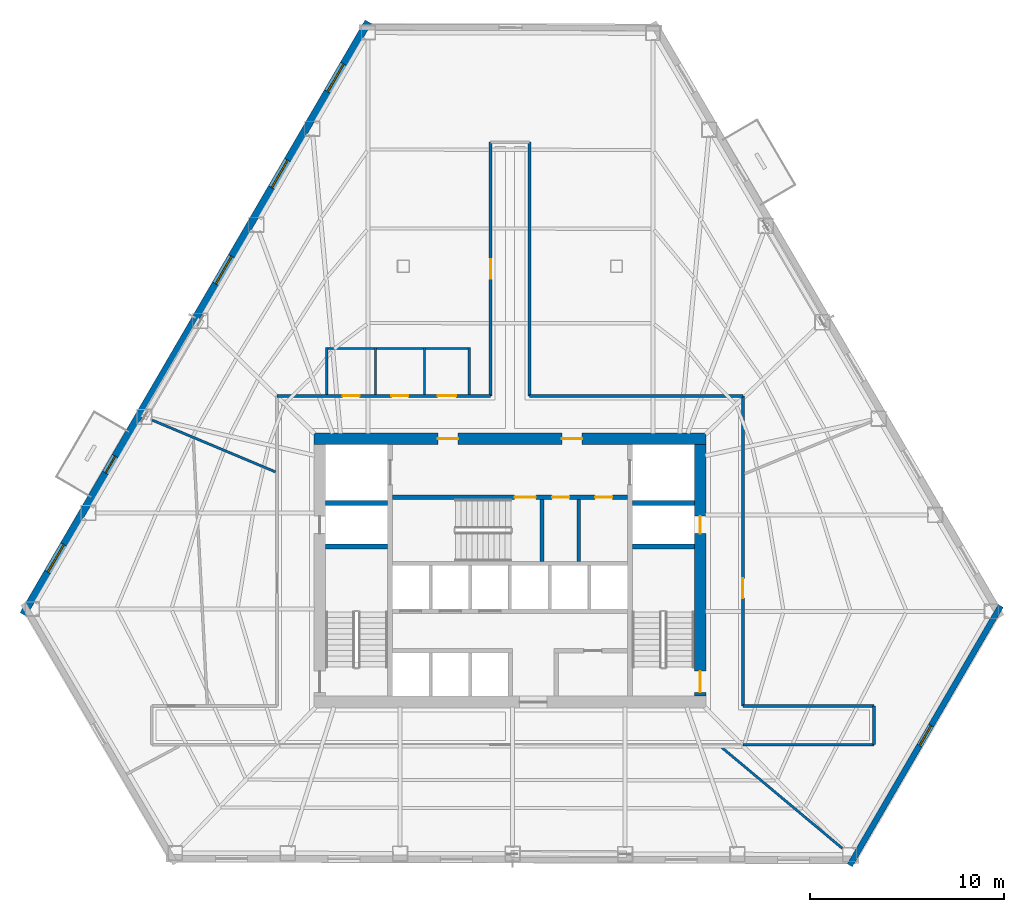
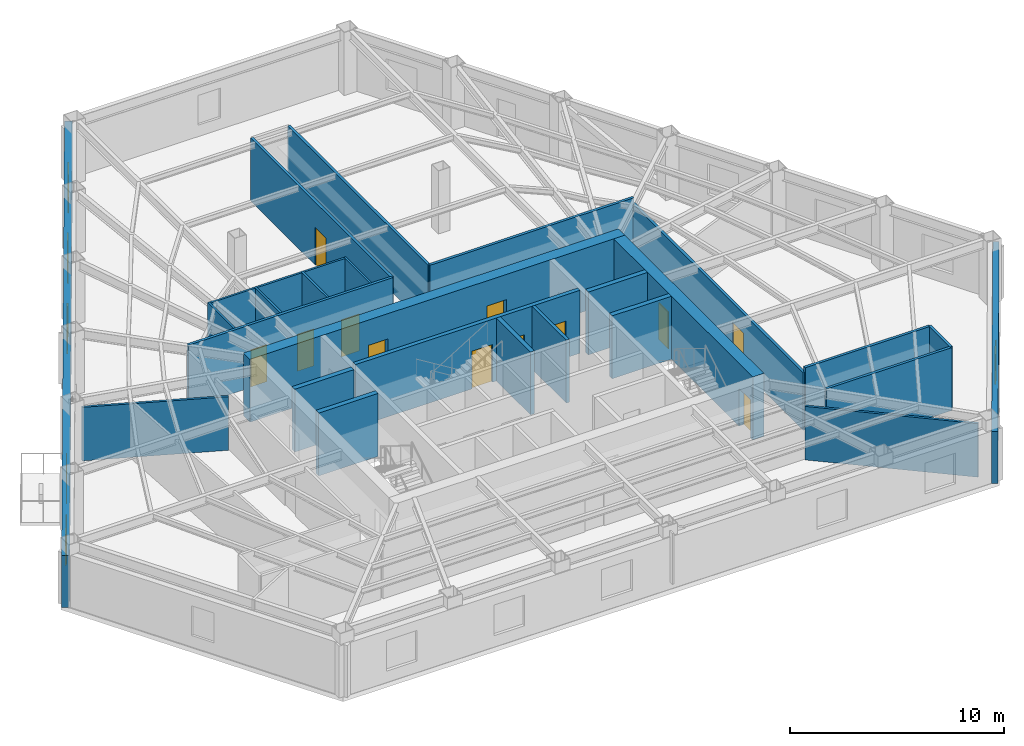
# One storey, part 7 of 11: 26 walls, 13 doors, 5 windows, 18 openings.
"""IFC4 building model written with IfcOpenShell, lengths in metres."""

from ifc_helpers import new_model, si_unit, direction, frame, frame_2d, origin, place, context, subcontext, project, spatial, rectangle, extrude, material, layer, layer_set, type_object, element, fill, save


model = new_model("IFC4")

# Units and contexts
model_context = context("Model", 3, precision=1e-05, world=origin(), true_north=direction((0.0, 1.0)))
body_context = subcontext(model_context, "Body", "Model", "MODEL_VIEW")
ifc_project = project(units=[si_unit("LENGTHUNIT", "METRE"), si_unit("AREAUNIT", "SQUARE_METRE"), si_unit("VOLUMEUNIT", "CUBIC_METRE"), si_unit("PLANEANGLEUNIT", "RADIAN"), si_unit("MASSUNIT", "GRAM", prefix="KILO")], contexts=[model_context])

# Site, building, storey
site_placement = place(None, origin())
site = spatial("IfcSite", under=ifc_project, at=site_placement, CompositionType="ELEMENT")
building_placement = place(site_placement, origin())
building = spatial("IfcBuilding", under=site, at=building_placement, Name="Kavelnor Concourse Tower", CompositionType="ELEMENT")
storey_placement = place(building_placement, frame((0.0, 0.0, 56.050048828125)))
storey = spatial("IfcBuildingStorey", under=building, at=storey_placement, Name="L14", CompositionType="ELEMENT", Elevation=56.050048828125)

# Wall, openings, doors
ifc_material_1 = material(Name="Concrete C60/75", Category="concrete")
ifc_layer_1 = layer(ifc_material_1, 0.60009765625, Name="Concrete C60/75")
ifc_layer_set_1 = layer_set([ifc_layer_1], Name="Concrete C60/75")
wall_type_1 = type_object("IfcWallType", Name="WL-CORE-Z1-600", PredefinedType="SOLIDWALL", material=ifc_layer_set_1)
wall_1_placement = place(storey_placement, frame((27.8798828125, 22.89990234375, 0.0), z_axis=(0.0, 0.0, 1.0), x_axis=(1.0, 0.0, 0.0)))
wall_1 = element("IfcWall", 1, at=wall_1_placement, inside=storey, type_object=wall_type_1, Name="L14 Central Core North Shear Wall", PredefinedType="SOLIDWALL", context=body_context, shape_type="SweptSolid", body=[
    extrude(rectangle(XDim=20.240234375, YDim=0.60009765625, at=frame_2d((10.1201171875, 0.0))), origin(), (0.0, 0.0, 1.0), 3.58984375),
])
opening_1_placement = place(wall_1_placement, frame((6.39501953125, 0.0, 0.0)))
opening_1 = element("IfcOpeningElement", 2, at=opening_1_placement, cuts=wall_1, Name="Opening FD-105", PredefinedType="OPENING", context=body_context, shape_type="SweptSolid", body=[
    extrude(rectangle(XDim=1.050048828125, YDim=2.14990234375, at=frame_2d((0.52490234375, 1.074951171875))), frame((0.0, 0.31005859375, 0.0), z_axis=(0.0, -1.0, 0.0), x_axis=(1.0, 0.0, 0.0)), (0.0, 0.0, 1.0), 0.6201171875),
])
opening_2_placement = place(wall_1_placement, frame((12.794921875, 0.0, 0.0)))
opening_2 = element("IfcOpeningElement", 3, at=opening_2_placement, cuts=wall_1, Name="Opening FD-105", PredefinedType="OPENING", context=body_context, shape_type="SweptSolid", body=[
    extrude(rectangle(XDim=1.050048828125, YDim=2.14990234375, at=frame_2d((0.52490234375, 1.074951171875))), frame((0.0, 0.31005859375, 0.0), z_axis=(0.0, -1.0, 0.0), x_axis=(1.0, 0.0, 0.0)), (0.0, 0.0, 1.0), 0.6201171875),
])
ifc_material_2 = material(Name="Steel Grade 350", Category="steel")
door_type_1 = type_object("IfcDoorType", Name="DR-LOBBY-FIRE-1050", OperationType="NOTDEFINED", PredefinedType="DOOR", material=ifc_material_2)
door_1_placement = place(opening_1_placement, origin())
door_1 = element("IfcDoor", 4, at=door_1_placement, inside=storey, type_object=door_type_1, Name="L14 Emergency Lift Lobby West Door", OperationType="SINGLE_SWING_LEFT", OverallHeight=2.14990234375, OverallWidth=1.050048828125, PredefinedType="DOOR", context=body_context, shape_type="SweptSolid", body=[
    extrude(rectangle(XDim=1.050048828125, YDim=2.14990234375, at=frame_2d((0.52490234375, 1.074951171875))), frame((0.0, 0.02490234375, 0.0), z_axis=(0.0, -1.0, 0.0), x_axis=(1.0, 0.0, 0.0)), (0.0, 0.0, 1.0), 0.050048828125),
])
fill(opening_1, door_1)
door_2_placement = place(opening_2_placement, origin())
door_2 = element("IfcDoor", 5, at=door_2_placement, inside=storey, type_object=door_type_1, Name="L14 Emergency Lift Lobby East Door", OperationType="SINGLE_SWING_RIGHT", OverallHeight=2.14990234375, OverallWidth=1.050048828125, PredefinedType="DOOR", context=body_context, shape_type="SweptSolid", body=[
    extrude(rectangle(XDim=1.050048828125, YDim=2.14990234375, at=frame_2d((0.52490234375, 1.074951171875))), frame((0.0, 0.02490234375, 0.0), z_axis=(0.0, -1.0, 0.0), x_axis=(1.0, 0.0, 0.0)), (0.0, 0.0, 1.0), 0.050048828125),
])
fill(opening_2, door_2)

wall_2_placement = place(storey_placement, frame((47.820068359375, 9.60009765625, 0.0), z_axis=(0.0, 0.0, 1.0), x_axis=(0.0, 1.0, 0.0)))
wall_2 = element("IfcWall", 6, at=wall_2_placement, inside=storey, type_object=wall_type_1, Name="L14 Central Core East Shear Wall", PredefinedType="SOLIDWALL", context=body_context, shape_type="SweptSolid", body=[
    extrude(rectangle(XDim=13.0, YDim=0.60009765625, at=frame_2d((6.5, 0.0))), origin(), (0.0, 0.0, 1.0), 3.58984375),
])
opening_3_placement = place(wall_2_placement, frame((0.199951171875, 0.0, 0.0)))
opening_3 = element("IfcOpeningElement", 7, at=opening_3_placement, cuts=wall_2, Name="Opening FD-110", PredefinedType="OPENING", context=body_context, shape_type="SweptSolid", body=[
    extrude(rectangle(XDim=1.10009765625, YDim=2.14990234375, at=frame_2d((0.550048828125, 1.074951171875))), frame((0.0, 0.31005859375, 0.0), z_axis=(0.0, -1.0, 0.0), x_axis=(1.0, 0.0, 0.0)), (0.0, 0.0, 1.0), 0.6201171875),
])
opening_4_placement = place(wall_2_placement, frame((8.39990234375, 0.0, 0.0)))
opening_4 = element("IfcOpeningElement", 8, at=opening_4_placement, cuts=wall_2, Name="Opening FD-090", PredefinedType="OPENING", context=body_context, shape_type="SweptSolid", body=[
    extrude(rectangle(XDim=0.89990234375, YDim=2.10009765625, at=frame_2d((0.449951171875, 1.050048828125))), frame((0.0, 0.31005859375, 0.0), z_axis=(0.0, -1.0, 0.0), x_axis=(1.0, 0.0, 0.0)), (0.0, 0.0, 1.0), 0.6201171875),
])
door_type_2 = type_object("IfcDoorType", Name="DR-RISER-FIRE-900", OperationType="NOTDEFINED", PredefinedType="DOOR", material=ifc_material_2)
door_3_placement = place(opening_4_placement, origin())
door_3 = element("IfcDoor", 9, at=door_3_placement, inside=storey, type_object=door_type_2, Name="L14 East Riser Access Door", OperationType="SINGLE_SWING_LEFT", OverallHeight=2.10009765625, OverallWidth=0.89990234375, PredefinedType="DOOR", context=body_context, shape_type="SweptSolid", body=[
    extrude(rectangle(XDim=0.89990234375, YDim=2.10009765625, at=frame_2d((0.449951171875, 1.050048828125))), frame((0.0, 0.02490234375, 0.0), z_axis=(0.0, -1.0, 0.0), x_axis=(1.0, 0.0, 0.0)), (0.0, 0.0, 1.0), 0.050048828125),
])
fill(opening_4, door_3)
door_type_3 = type_object("IfcDoorType", Name="DR-STAIR-FIRE-1100", OperationType="NOTDEFINED", PredefinedType="DOOR", material=ifc_material_2)
door_4_placement = place(opening_3_placement, origin())
door_4 = element("IfcDoor", 10, at=door_4_placement, inside=storey, type_object=door_type_3, Name="L14 Stair ST2 Fire Door", OperationType="SINGLE_SWING_RIGHT", OverallHeight=2.14990234375, OverallWidth=1.10009765625, PredefinedType="DOOR", context=body_context, shape_type="SweptSolid", body=[
    extrude(rectangle(XDim=1.10009765625, YDim=2.14990234375, at=frame_2d((0.550048828125, 1.074951171875))), frame((0.0, 0.02490234375, 0.0), z_axis=(0.0, -1.0, 0.0), x_axis=(1.0, 0.0, 0.0)), (0.0, 0.0, 1.0), 0.050048828125),
])
fill(opening_3, door_4)

# Wall, opening, window
ifc_material_3 = material(Name="Buff ironspot clay face brick masonry", Category="masonry")
ifc_layer_2 = layer(ifc_material_3, 0.300048828125, Name="Buff ironspot clay face brick masonry")
ifc_layer_set_2 = layer_set([ifc_layer_2], Name="Buff ironspot clay face brick masonry")
wall_type_2 = type_object("IfcWallType", Name="WL-EXT-BUFF-BRICK-FOLD-300", PredefinedType="STANDARD", material=ifc_layer_set_2)
wall_3_placement = place(storey_placement, frame((63.336181640625, 14.260986328125, 0.0), z_axis=(0.0, 0.0, 1.0), x_axis=(-0.503273250813, -0.864127325697, 0.0)))
wall_3 = element("IfcWall", 11, at=wall_3_placement, inside=storey, type_object=wall_type_2, Name="L14 Exterior Brick Facade Wall E4", PredefinedType="STANDARD", context=body_context, shape_type="SweptSolid", body=[
    extrude(rectangle(XDim=15.493408203125, YDim=0.300048828125, at=frame_2d((7.74658203125, 0.0))), origin(), (0.0, 0.0, 1.0), 2.969970703125),
])
opening_5_placement = place(wall_3_placement, frame((7.146728515625, 0.0, 0.64990234375)))
opening_5 = element("IfcOpeningElement", 12, at=opening_5_placement, cuts=wall_3, Name="Opening W-05", PredefinedType="OPENING", context=body_context, shape_type="SweptSolid", body=[
    extrude(rectangle(XDim=1.199951171875, YDim=1.699951171875, at=frame_2d((0.60009765625, 0.85009765625))), frame((0.0, 0.16015625, 0.0), z_axis=(0.0, -1.0, 0.0), x_axis=(1.0, 0.0, 0.0)), (0.0, 0.0, 1.0), 0.320068359375),
])
ifc_material_4 = material(Name="Double low-E argon insulated glazing", Category="glass")
window_type_1 = type_object("IfcWindowType", Name="WIN-FOLD-1200", PartitioningType="SINGLE_PANEL", PredefinedType="WINDOW", material=ifc_material_4)
window_1_placement = place(opening_5_placement, origin())
window_1 = element("IfcWindow", 13, at=window_1_placement, inside=storey, type_object=window_type_1, Name="L14 Chamfer-Fold Facet Window C2", OverallHeight=1.699951171875, OverallWidth=1.199951171875, PartitioningType="SINGLE_PANEL", PredefinedType="WINDOW", context=body_context, shape_type="SweptSolid", body=[
    extrude(rectangle(XDim=1.199951171875, YDim=1.699951171875, at=frame_2d((0.60009765625, 0.85009765625))), frame((0.0, 0.030029296875, 0.0), z_axis=(0.0, -1.0, 0.0), x_axis=(1.0, 0.0, 0.0)), (0.0, 0.0, 1.0), 0.06005859375),
])
fill(opening_5, window_1)

# Wall, openings, door, windows
ifc_material_5 = material(Name="Red-ochre clay face brick masonry", Category="masonry")
ifc_layer_3 = layer(ifc_material_5, 0.3798828125, Name="Red-ochre clay face brick masonry")
ifc_layer_set_3 = layer_set([ifc_layer_3], Name="Red-ochre clay face brick masonry")
wall_type_3 = type_object("IfcWallType", Name="WL-EXT-RED-BRICK-PIER-380", PredefinedType="STANDARD", material=ifc_layer_set_3)
wall_4_placement = place(storey_placement, frame((12.870361328125, 13.8232421875, 0.0), z_axis=(0.0, 0.0, 1.0), x_axis=(0.503276134116, 0.864125646437, 0.0)))
wall_4 = element("IfcWall", 14, at=wall_4_placement, inside=storey, type_object=wall_type_3, Name="L14 Exterior Brick Facade Wall E1", PredefinedType="STANDARD", context=body_context, shape_type="SweptSolid", body=[
    extrude(rectangle(XDim=35.39892578125, YDim=0.3798828125, at=frame_2d((17.699462890625, 0.0))), origin(), (0.0, 0.0, 1.0), 2.969970703125),
])
opening_6_placement = place(wall_4_placement, frame((8.44970703125, 0.0, 0.0)))
opening_6 = element("IfcOpeningElement", 15, at=opening_6_placement, cuts=wall_4, Name="Opening BD-100", PredefinedType="OPENING", context=body_context, shape_type="SweptSolid", body=[
    extrude(rectangle(XDim=1.0, YDim=2.199951171875, at=frame_2d((0.5, 1.10009765625))), frame((0.0, 0.199951171875, 0.0), z_axis=(0.0, -1.0, 0.0), x_axis=(1.0, 0.0, 0.0)), (0.0, 0.0, 1.0), 0.39990234375),
])
opening_7_placement = place(wall_4_placement, frame((31.22705078125, 0.0, 0.64990234375)))
opening_7 = element("IfcOpeningElement", 16, at=opening_7_placement, cuts=wall_4, Name="Opening W-01", PredefinedType="OPENING", context=body_context, shape_type="SweptSolid", body=[
    extrude(rectangle(XDim=1.64990234375, YDim=1.75, at=frame_2d((0.824951171875, 0.875))), frame((0.0, 0.199951171875, 0.0), z_axis=(0.0, -1.0, 0.0), x_axis=(1.0, 0.0, 0.0)), (0.0, 0.0, 1.0), 0.39990234375),
])
opening_8_placement = place(wall_4_placement, frame((25.48681640625, 0.0, 0.64990234375)))
opening_8 = element("IfcOpeningElement", 17, at=opening_8_placement, cuts=wall_4, Name="Opening W-01", PredefinedType="OPENING", context=body_context, shape_type="SweptSolid", body=[
    extrude(rectangle(XDim=1.64990234375, YDim=1.75, at=frame_2d((0.824951171875, 0.875))), frame((0.0, 0.199951171875, 0.0), z_axis=(0.0, -1.0, 0.0), x_axis=(1.0, 0.0, 0.0)), (0.0, 0.0, 1.0), 0.39990234375),
])
opening_9_placement = place(wall_4_placement, frame((19.74658203125, 0.0, 0.64990234375)))
opening_9 = element("IfcOpeningElement", 18, at=opening_9_placement, cuts=wall_4, Name="Opening W-01", PredefinedType="OPENING", context=body_context, shape_type="SweptSolid", body=[
    extrude(rectangle(XDim=1.64990234375, YDim=1.75, at=frame_2d((0.824951171875, 0.875))), frame((0.0, 0.199951171875, 0.0), z_axis=(0.0, -1.0, 0.0), x_axis=(1.0, 0.0, 0.0)), (0.0, 0.0, 1.0), 0.39990234375),
])
opening_10_placement = place(wall_4_placement, frame((2.525390625, 0.0, 0.64990234375)))
opening_10 = element("IfcOpeningElement", 19, at=opening_10_placement, cuts=wall_4, Name="Opening W-01", PredefinedType="OPENING", context=body_context, shape_type="SweptSolid", body=[
    extrude(rectangle(XDim=1.64990234375, YDim=1.75, at=frame_2d((0.824951171875, 0.875))), frame((0.0, 0.199951171875, 0.0), z_axis=(0.0, -1.0, 0.0), x_axis=(1.0, 0.0, 0.0)), (0.0, 0.0, 1.0), 0.39990234375),
])
ifc_material_6 = material(Name="Anodised aluminium 6063-T6", Category="aluminium")
door_type_4 = type_object("IfcDoorType", Name="DR-BALCONY-EXT-1000", OperationType="NOTDEFINED", PredefinedType="DOOR", material=ifc_material_6)
door_5_placement = place(opening_6_placement, origin())
door_5 = element("IfcDoor", 20, at=door_5_placement, inside=storey, type_object=door_type_4, Name="L14 Tree Balcony 2 Glazed Door", OperationType="SINGLE_SWING_RIGHT", OverallHeight=2.199951171875, OverallWidth=1.0, PredefinedType="DOOR", context=body_context, shape_type="SweptSolid", body=[
    extrude(rectangle(XDim=1.0, YDim=2.199951171875, at=frame_2d((0.5, 1.10009765625))), frame((0.0, 0.02490234375, 0.0), z_axis=(0.0, -1.0, 0.0), x_axis=(1.0, 0.0, 0.0)), (0.0, 0.0, 1.0), 0.050048828125),
])
fill(opening_6, door_5)
window_type_2 = type_object("IfcWindowType", Name="WIN-PIER-Z1-1800", PartitioningType="SINGLE_PANEL", PredefinedType="WINDOW", material=ifc_material_4)
window_2_placement = place(opening_7_placement, origin())
window_2 = element("IfcWindow", 21, at=window_2_placement, inside=storey, type_object=window_type_2, Name="L14 Deep-Set Brick Pier Window F0-B0", OverallHeight=1.75, OverallWidth=1.64990234375, PartitioningType="SINGLE_PANEL", PredefinedType="WINDOW", context=body_context, shape_type="SweptSolid", body=[
    extrude(rectangle(XDim=1.64990234375, YDim=1.75, at=frame_2d((0.824951171875, 0.875))), frame((0.0, 0.030029296875, 0.0), z_axis=(0.0, -1.0, 0.0), x_axis=(1.0, 0.0, 0.0)), (0.0, 0.0, 1.0), 0.06005859375),
])
fill(opening_7, window_2)
window_3_placement = place(opening_8_placement, origin())
window_3 = element("IfcWindow", 22, at=window_3_placement, inside=storey, type_object=window_type_2, Name="L14 Deep-Set Brick Pier Window F0-B1", OverallHeight=1.75, OverallWidth=1.64990234375, PartitioningType="SINGLE_PANEL", PredefinedType="WINDOW", context=body_context, shape_type="SweptSolid", body=[
    extrude(rectangle(XDim=1.64990234375, YDim=1.75, at=frame_2d((0.824951171875, 0.875))), frame((0.0, 0.030029296875, 0.0), z_axis=(0.0, -1.0, 0.0), x_axis=(1.0, 0.0, 0.0)), (0.0, 0.0, 1.0), 0.06005859375),
])
fill(opening_8, window_3)
window_4_placement = place(opening_9_placement, origin())
window_4 = element("IfcWindow", 23, at=window_4_placement, inside=storey, type_object=window_type_2, Name="L14 Deep-Set Brick Pier Window F0-B2", OverallHeight=1.75, OverallWidth=1.64990234375, PartitioningType="SINGLE_PANEL", PredefinedType="WINDOW", context=body_context, shape_type="SweptSolid", body=[
    extrude(rectangle(XDim=1.64990234375, YDim=1.75, at=frame_2d((0.824951171875, 0.875))), frame((0.0, 0.030029296875, 0.0), z_axis=(0.0, -1.0, 0.0), x_axis=(1.0, 0.0, 0.0)), (0.0, 0.0, 1.0), 0.06005859375),
])
fill(opening_9, window_4)
window_5_placement = place(opening_10_placement, origin())
window_5 = element("IfcWindow", 24, at=window_5_placement, inside=storey, type_object=window_type_2, Name="L14 Deep-Set Brick Pier Window F0-B5", OverallHeight=1.75, OverallWidth=1.64990234375, PartitioningType="SINGLE_PANEL", PredefinedType="WINDOW", context=body_context, shape_type="SweptSolid", body=[
    extrude(rectangle(XDim=1.64990234375, YDim=1.75, at=frame_2d((0.824951171875, 0.875))), frame((0.0, 0.030029296875, 0.0), z_axis=(0.0, -1.0, 0.0), x_axis=(1.0, 0.0, 0.0)), (0.0, 0.0, 1.0), 0.06005859375),
])
fill(opening_10, window_5)

# Wall, openings, doors
ifc_material_7 = material(Name="Gypsum plasterboard on light-gauge steel studs", Category="steel")
ifc_layer_4 = layer(ifc_material_7, 0.14501953125, Name="Gypsum plasterboard on light-gauge steel studs")
ifc_layer_set_4 = layer_set([ifc_layer_4], Name="Gypsum plasterboard on light-gauge steel studs")
wall_type_4 = type_object("IfcWallType", Name="WL-INT-CORR-145", PredefinedType="PARTITIONING", material=ifc_layer_set_4)
wall_5_placement = place(storey_placement, frame((25.97998046875, 25.10009765625, 0.0), z_axis=(0.0, 0.0, 1.0), x_axis=(1.0, 0.0, 0.0)))
wall_5 = element("IfcWall", 25, at=wall_5_placement, inside=storey, type_object=wall_type_4, Name="L14 Corridor Wall WL-L14-CR-03", PredefinedType="PARTITIONING", context=body_context, shape_type="SweptSolid", body=[
    extrude(rectangle(XDim=11.02001953125, YDim=0.14501953125, at=frame_2d((5.510009765625, 0.0))), origin(), (0.0, 0.0, 1.0), 3.58984375),
])
opening_11_placement = place(wall_5_placement, frame((3.3798828125, 0.0, 0.0)))
opening_11 = element("IfcOpeningElement", 26, at=opening_11_placement, cuts=wall_5, Name="Opening WD-088", PredefinedType="OPENING", context=body_context, shape_type="SweptSolid", body=[
    extrude(rectangle(XDim=0.8798828125, YDim=2.10009765625, at=frame_2d((0.43994140625, 1.050048828125))), frame((0.0, 0.08251953125, 0.0), z_axis=(0.0, -1.0, 0.0), x_axis=(1.0, 0.0, 0.0)), (0.0, 0.0, 1.0), 0.1650390625),
])
opening_12_placement = place(wall_5_placement, frame((5.89990234375, 0.0, 0.0)))
opening_12 = element("IfcOpeningElement", 27, at=opening_12_placement, cuts=wall_5, Name="Opening WD-088", PredefinedType="OPENING", context=body_context, shape_type="SweptSolid", body=[
    extrude(rectangle(XDim=0.8798828125, YDim=2.10009765625, at=frame_2d((0.43994140625, 1.050048828125))), frame((0.0, 0.08251953125, 0.0), z_axis=(0.0, -1.0, 0.0), x_axis=(1.0, 0.0, 0.0)), (0.0, 0.0, 1.0), 0.1650390625),
])
opening_13_placement = place(wall_5_placement, frame((8.280029296875, 0.0, 0.0)))
opening_13 = element("IfcOpeningElement", 28, at=opening_13_placement, cuts=wall_5, Name="Opening WD-096", PredefinedType="OPENING", context=body_context, shape_type="SweptSolid", body=[
    extrude(rectangle(XDim=0.9599609375, YDim=2.10009765625, at=frame_2d((0.47998046875, 1.050048828125))), frame((0.0, 0.08251953125, 0.0), z_axis=(0.0, -1.0, 0.0), x_axis=(1.0, 0.0, 0.0)), (0.0, 0.0, 1.0), 0.1650390625),
])
ifc_material_8 = material(Name="Solid-core hardwood timber", Category="wood")
door_type_5 = type_object("IfcDoorType", Name="DR-WC-ACC-960", OperationType="NOTDEFINED", PredefinedType="DOOR", material=ifc_material_8)
door_6_placement = place(opening_13_placement, origin())
door_6 = element("IfcDoor", 29, at=door_6_placement, inside=storey, type_object=door_type_5, Name="L14 Accessible WC Door", OperationType="SINGLE_SWING_RIGHT", OverallHeight=2.10009765625, OverallWidth=0.9599609375, PredefinedType="DOOR", context=body_context, shape_type="SweptSolid", body=[
    extrude(rectangle(XDim=0.9599609375, YDim=2.10009765625, at=frame_2d((0.47998046875, 1.050048828125))), frame((0.0, 0.02490234375, 0.0), z_axis=(0.0, -1.0, 0.0), x_axis=(1.0, 0.0, 0.0)), (0.0, 0.0, 1.0), 0.050048828125),
])
fill(opening_13, door_6)
door_type_6 = type_object("IfcDoorType", Name="DR-WC-STD-880", OperationType="NOTDEFINED", PredefinedType="DOOR", material=ifc_material_8)
door_7_placement = place(opening_11_placement, origin())
door_7 = element("IfcDoor", 30, at=door_7_placement, inside=storey, type_object=door_type_6, Name="L14 Male WC Door", OperationType="SINGLE_SWING_RIGHT", OverallHeight=2.10009765625, OverallWidth=0.8798828125, PredefinedType="DOOR", context=body_context, shape_type="SweptSolid", body=[
    extrude(rectangle(XDim=0.8798828125, YDim=2.10009765625, at=frame_2d((0.43994140625, 1.050048828125))), frame((0.0, 0.02490234375, 0.0), z_axis=(0.0, -1.0, 0.0), x_axis=(1.0, 0.0, 0.0)), (0.0, 0.0, 1.0), 0.050048828125),
])
fill(opening_11, door_7)
door_8_placement = place(opening_12_placement, origin())
door_8 = element("IfcDoor", 31, at=door_8_placement, inside=storey, type_object=door_type_6, Name="L14 Female WC Door", OperationType="SINGLE_SWING_LEFT", OverallHeight=2.10009765625, OverallWidth=0.8798828125, PredefinedType="DOOR", context=body_context, shape_type="SweptSolid", body=[
    extrude(rectangle(XDim=0.8798828125, YDim=2.10009765625, at=frame_2d((0.43994140625, 1.050048828125))), frame((0.0, 0.02490234375, 0.0), z_axis=(0.0, -1.0, 0.0), x_axis=(1.0, 0.0, 0.0)), (0.0, 0.0, 1.0), 0.050048828125),
])
fill(opening_12, door_8)

# Wall, opening, door
wall_6_placement = place(storey_placement, frame((37.0, 25.10009765625, 0.0), z_axis=(0.0, 0.0, 1.0), x_axis=(0.0, 1.0, 0.0)))
wall_6 = element("IfcWall", 32, at=wall_6_placement, inside=storey, type_object=wall_type_4, Name="L14 Corridor Wall WL-L14-CR-04", PredefinedType="PARTITIONING", context=body_context, shape_type="SweptSolid", body=[
    extrude(rectangle(XDim=13.099853515625, YDim=0.14501953125, at=frame_2d((6.5498046875, 0.0))), origin(), (0.0, 0.0, 1.0), 3.58984375),
])
opening_14_placement = place(wall_6_placement, frame((6.0400390625, 0.0, 0.0)))
opening_14 = element("IfcOpeningElement", 33, at=opening_14_placement, cuts=wall_6, Name="Opening MD-102", PredefinedType="OPENING", context=body_context, shape_type="SweptSolid", body=[
    extrude(rectangle(XDim=1.02001953125, YDim=2.14990234375, at=frame_2d((0.510009765625, 1.074951171875))), frame((0.0, 0.08251953125, 0.0), z_axis=(0.0, -1.0, 0.0), x_axis=(1.0, 0.0, 0.0)), (0.0, 0.0, 1.0), 0.1650390625),
])
ifc_material_9 = material(Name="Acoustic glazed timber frame", Category="wood")
door_type_7 = type_object("IfcDoorType", Name="DR-MEETING-1020", OperationType="NOTDEFINED", PredefinedType="DOOR", material=ifc_material_9)
door_9_placement = place(opening_14_placement, origin())
door_9 = element("IfcDoor", 34, at=door_9_placement, inside=storey, type_object=door_type_7, Name="L14 Client Boardroom 01 Door", OperationType="SINGLE_SWING_RIGHT", OverallHeight=2.14990234375, OverallWidth=1.02001953125, PredefinedType="DOOR", context=body_context, shape_type="SweptSolid", body=[
    extrude(rectangle(XDim=1.02001953125, YDim=2.14990234375, at=frame_2d((0.510009765625, 1.074951171875))), frame((0.0, 0.02490234375, 0.0), z_axis=(0.0, -1.0, 0.0), x_axis=(1.0, 0.0, 0.0)), (0.0, 0.0, 1.0), 0.050048828125),
])
fill(opening_14, door_9)

# Walls
wall_7_placement = place(storey_placement, frame((39.0, 38.199951171875, 0.0), z_axis=(0.0, 0.0, 1.0), x_axis=(0.0, -1.0, 0.0)))
element("IfcWall", 35, at=wall_7_placement, inside=storey, type_object=wall_type_4, Name="L14 Corridor Wall WL-L14-CR-06", PredefinedType="PARTITIONING", context=body_context, shape_type="SweptSolid", body=[
    extrude(rectangle(XDim=13.099853515625, YDim=0.14501953125, at=frame_2d((6.5498046875, 0.0))), origin(), (0.0, 0.0, 1.0), 3.58984375),
])
wall_8_placement = place(storey_placement, frame((39.0, 25.10009765625, 0.0), z_axis=(0.0, 0.0, 1.0), x_axis=(1.0, 0.0, 0.0)))
element("IfcWall", 36, at=wall_8_placement, inside=storey, type_object=wall_type_4, Name="L14 Corridor Wall WL-L14-CR-07", PredefinedType="PARTITIONING", context=body_context, shape_type="SweptSolid", body=[
    extrude(rectangle(XDim=11.02001953125, YDim=0.14501953125, at=frame_2d((5.510009765625, 0.0))), origin(), (0.0, 0.0, 1.0), 3.58984375),
])

# Wall, opening, door
wall_9_placement = place(storey_placement, frame((50.02001953125, 25.10009765625, 0.0), z_axis=(0.0, 0.0, 1.0), x_axis=(0.0, -1.0, 0.0)))
wall_9 = element("IfcWall", 37, at=wall_9_placement, inside=storey, type_object=wall_type_4, Name="L14 Corridor Wall WL-L14-CR-08", PredefinedType="PARTITIONING", context=body_context, shape_type="SweptSolid", body=[
    extrude(rectangle(XDim=16.0, YDim=0.14501953125, at=frame_2d((8.0, 0.0))), origin(), (0.0, 0.0, 1.0), 3.27783203125),
])
opening_15_placement = place(wall_9_placement, frame((9.41748046875, 0.0, 0.0)))
opening_15 = element("IfcOpeningElement", 38, at=opening_15_placement, cuts=wall_9, Name="Opening MD-102", PredefinedType="OPENING", context=body_context, shape_type="SweptSolid", body=[
    extrude(rectangle(XDim=1.02001953125, YDim=2.14990234375, at=frame_2d((0.510009765625, 1.074951171875))), frame((0.0, 0.08251953125, 0.0), z_axis=(0.0, -1.0, 0.0), x_axis=(1.0, 0.0, 0.0)), (0.0, 0.0, 1.0), 0.1650390625),
])
door_10_placement = place(opening_15_placement, origin())
door_10 = element("IfcDoor", 39, at=door_10_placement, inside=storey, type_object=door_type_7, Name="L14 Client Boardroom 05 Door", OperationType="SINGLE_SWING_RIGHT", OverallHeight=2.14990234375, OverallWidth=1.02001953125, PredefinedType="DOOR", context=body_context, shape_type="SweptSolid", body=[
    extrude(rectangle(XDim=1.02001953125, YDim=2.14990234375, at=frame_2d((0.510009765625, 1.074951171875))), frame((0.0, 0.02490234375, 0.0), z_axis=(0.0, -1.0, 0.0), x_axis=(1.0, 0.0, 0.0)), (0.0, 0.0, 1.0), 0.050048828125),
])
fill(opening_15, door_10)

# Walls
wall_10_placement = place(storey_placement, frame((50.02001953125, 9.10009765625, 0.0), z_axis=(0.0, 0.0, 1.0), x_axis=(1.0, 0.0, 0.0)))
element("IfcWall", 40, at=wall_10_placement, inside=storey, type_object=wall_type_4, Name="L14 Corridor Wall WL-L14-CR-09", PredefinedType="PARTITIONING", context=body_context, shape_type="SweptSolid", body=[
    extrude(rectangle(XDim=6.769287109375, YDim=0.14501953125, at=frame_2d((3.384765625, 0.0))), origin(), (0.0, 0.0, 1.0), 3.58984375),
])
wall_11_placement = place(storey_placement, frame((56.789306640625, 9.10009765625, 0.0), z_axis=(0.0, 0.0, 1.0), x_axis=(0.0, -1.0, 0.0)))
element("IfcWall", 41, at=wall_11_placement, inside=storey, type_object=wall_type_4, Name="L14 Corridor Wall WL-L14-CR-10", PredefinedType="PARTITIONING", context=body_context, shape_type="SweptSolid", body=[
    extrude(rectangle(XDim=2.0, YDim=0.14501953125, at=frame_2d((1.0, 0.0))), origin(), (0.0, 0.0, 1.0), 3.58984375),
])
wall_12_placement = place(storey_placement, frame((56.789306640625, 7.10009765625, 0.0), z_axis=(0.0, 0.0, 1.0), x_axis=(-1.0, 0.0, 0.0)))
element("IfcWall", 42, at=wall_12_placement, inside=storey, type_object=wall_type_4, Name="L14 Corridor Wall WL-L14-CR-11", PredefinedType="PARTITIONING", context=body_context, shape_type="SweptSolid", body=[
    extrude(rectangle(XDim=6.769287109375, YDim=0.14501953125, at=frame_2d((3.384765625, 0.0))), origin(), (0.0, 0.0, 1.0), 3.58984375),
])
ifc_layer_5 = layer(ifc_material_7, 0.1650390625, Name="Gypsum plasterboard on light-gauge steel studs")
ifc_layer_set_5 = layer_set([ifc_layer_5], Name="Gypsum plasterboard on light-gauge steel studs")
wall_type_5 = type_object("IfcWallType", Name="WL-INT-FIRE-165", PredefinedType="PARTITIONING", material=ifc_layer_set_5)
wall_13_placement = place(storey_placement, frame((41.550048828125, 16.56005859375, 0.0), z_axis=(0.0, 0.0, 1.0), x_axis=(0.0, 1.0, 0.0)))
element("IfcWall", 43, at=wall_13_placement, inside=storey, type_object=wall_type_5, Name="L14 Core North Support Divider", PredefinedType="PARTITIONING", context=body_context, shape_type="SweptSolid", body=[
    extrude(rectangle(XDim=3.199951171875, YDim=0.1650390625, at=frame_2d((1.60009765625, 0.0))), origin(), (0.0, 0.0, 1.0), 3.58984375),
])
ifc_layer_6 = layer(ifc_material_7, 0.125, Name="Gypsum plasterboard on light-gauge steel studs")
ifc_layer_set_6 = layer_set([ifc_layer_6], Name="Gypsum plasterboard on light-gauge steel studs")
wall_type_6 = type_object("IfcWallType", Name="WL-INT-SUITE-125", PredefinedType="PARTITIONING", material=ifc_layer_set_6)
wall_14_placement = place(storey_placement, frame((25.8994140625, 21.178955078125, 0.0), z_axis=(0.0, 0.0, 1.0), x_axis=(-0.922068663863, 0.387026328719, 0.0)))
element("IfcWall", 44, at=wall_14_placement, inside=storey, type_object=wall_type_6, Name="L14 Radial Suite Partition 02", PredefinedType="PARTITIONING", context=body_context, shape_type="SweptSolid", body=[
    extrude(rectangle(XDim=6.906005859375, YDim=0.125, at=frame_2d((3.453125, 0.0))), origin(), (0.0, 0.0, 1.0), 3.056884765625),
])
wall_15_placement = place(storey_placement, frame((48.853271484375, 7.01953125, 0.0), z_axis=(0.0, 0.0, 1.0), x_axis=(0.766968427063, -0.641684838443, 0.0)))
element("IfcWall", 45, at=wall_15_placement, inside=storey, type_object=wall_type_6, Name="L14 Radial Suite Partition 04", PredefinedType="PARTITIONING", context=body_context, shape_type="SweptSolid", body=[
    extrude(rectangle(XDim=8.2197265625, YDim=0.125, at=frame_2d((4.10986328125, 0.0))), origin(), (0.0, 0.0, 1.0), 3.056884765625),
])
ifc_layer_7 = layer(ifc_material_7, 0.110107421875, Name="Gypsum plasterboard on light-gauge steel studs")
ifc_layer_set_7 = layer_set([ifc_layer_7], Name="Gypsum plasterboard on light-gauge steel studs")
wall_type_7 = type_object("IfcWallType", Name="WL-INT-WC-110", PredefinedType="PLUMBINGWALL", material=ifc_layer_set_7)
for number, where, z_axis, x_axis, name in (
    (46, (28.5400390625, 25.169921875, 0.0), (0.0, 0.0, 1.0), (0.0, 1.0, 0.0), "L14 Sanitary Partition WL-L14-WC-W"),
    (47, (31.06005859375, 25.169921875, 0.0), (0.0, 0.0, 1.0), (0.0, 1.0, 0.0), "L14 Sanitary Partition WL-L14-WC-D1"),
    (48, (33.580078125, 25.169921875, 0.0), (0.0, 0.0, 1.0), (0.0, 1.0, 0.0), "L14 Sanitary Partition WL-L14-WC-D2"),
    (49, (35.89990234375, 25.169921875, 0.0), (0.0, 0.0, 1.0), (0.0, 1.0, 0.0), "L14 Sanitary Partition WL-L14-WC-E"),
):
    element("IfcWall", number, at=place(storey_placement, frame(where, z_axis=z_axis, x_axis=x_axis)), inside=storey, type_object=wall_type_7, Name=name, PredefinedType="PLUMBINGWALL", context=body_context, shape_type="SweptSolid", body=[
        extrude(rectangle(XDim=2.440185546875, YDim=0.110107421875, at=frame_2d((1.22021484375, 0.0))), origin(), (0.0, 0.0, 1.0), 3.58984375),
    ])
wall_16_placement = place(storey_placement, frame((28.489990234375, 27.550048828125, 0.0), z_axis=(0.0, 0.0, 1.0), x_axis=(1.0, 0.0, 0.0)))
element("IfcWall", 50, at=wall_16_placement, inside=storey, type_object=wall_type_7, Name="L14 Sanitary Partition WL-L14-WC-N", PredefinedType="PLUMBINGWALL", context=body_context, shape_type="SweptSolid", body=[
    extrude(rectangle(XDim=7.4599609375, YDim=0.110107421875, at=frame_2d((3.72998046875, 0.0))), origin(), (0.0, 0.0, 1.0), 3.58984375),
])

# Wall, openings, doors
ifc_material_10 = material(Name="Concrete C50/60", Category="concrete")
ifc_layer_8 = layer(ifc_material_10, 0.219970703125, Name="Concrete C50/60")
ifc_layer_set_8 = layer_set([ifc_layer_8], Name="Concrete C50/60")
wall_type_8 = type_object("IfcWallType", Name="WL-SHAFT-220", PredefinedType="SOLIDWALL", material=ifc_layer_set_8)
wall_17_placement = place(storey_placement, frame((31.93994140625, 19.8701171875, 0.0), z_axis=(0.0, 0.0, 1.0), x_axis=(1.0, 0.0, 0.0)))
wall_17 = element("IfcWall", 51, at=wall_17_placement, inside=storey, type_object=wall_type_8, Name="L14 Emergency Lift Lobby South Wall", PredefinedType="SOLIDWALL", context=body_context, shape_type="SweptSolid", body=[
    extrude(rectangle(XDim=12.1201171875, YDim=0.219970703125, at=frame_2d((6.06005859375, 0.0))), origin(), (0.0, 0.0, 1.0), 3.58984375),
])
opening_16_placement = place(wall_17_placement, frame((6.300048828125, 0.0, 0.0)))
opening_16 = element("IfcOpeningElement", 52, at=opening_16_placement, cuts=wall_17, Name="Opening FD-110", PredefinedType="OPENING", context=body_context, shape_type="SweptSolid", body=[
    extrude(rectangle(XDim=1.10009765625, YDim=2.14990234375, at=frame_2d((0.550048828125, 1.074951171875))), frame((0.0, 0.1201171875, 0.0), z_axis=(0.0, -1.0, 0.0), x_axis=(1.0, 0.0, 0.0)), (0.0, 0.0, 1.0), 0.239990234375),
])
opening_17_placement = place(wall_17_placement, frame((8.22998046875, 0.0, 0.0)))
opening_17 = element("IfcOpeningElement", 53, at=opening_17_placement, cuts=wall_17, Name="Opening FD-090", PredefinedType="OPENING", context=body_context, shape_type="SweptSolid", body=[
    extrude(rectangle(XDim=0.89990234375, YDim=2.10009765625, at=frame_2d((0.449951171875, 1.050048828125))), frame((0.0, 0.1201171875, 0.0), z_axis=(0.0, -1.0, 0.0), x_axis=(1.0, 0.0, 0.0)), (0.0, 0.0, 1.0), 0.239990234375),
])
opening_18_placement = place(wall_17_placement, frame((10.449951171875, 0.0, 0.0)))
opening_18 = element("IfcOpeningElement", 54, at=opening_18_placement, cuts=wall_17, Name="Opening FD-090", PredefinedType="OPENING", context=body_context, shape_type="SweptSolid", body=[
    extrude(rectangle(XDim=0.89990234375, YDim=2.10009765625, at=frame_2d((0.449951171875, 1.050048828125))), frame((0.0, 0.1201171875, 0.0), z_axis=(0.0, -1.0, 0.0), x_axis=(1.0, 0.0, 0.0)), (0.0, 0.0, 1.0), 0.239990234375),
])
door_11_placement = place(opening_17_placement, origin())
door_11 = element("IfcDoor", 55, at=door_11_placement, inside=storey, type_object=door_type_2, Name="L14 Telecom Room Door", OperationType="SINGLE_SWING_LEFT", OverallHeight=2.10009765625, OverallWidth=0.89990234375, PredefinedType="DOOR", context=body_context, shape_type="SweptSolid", body=[
    extrude(rectangle(XDim=0.89990234375, YDim=2.10009765625, at=frame_2d((0.449951171875, 1.050048828125))), frame((0.0, 0.02490234375, 0.0), z_axis=(0.0, -1.0, 0.0), x_axis=(1.0, 0.0, 0.0)), (0.0, 0.0, 1.0), 0.050048828125),
])
fill(opening_17, door_11)
door_12_placement = place(opening_18_placement, origin())
door_12 = element("IfcDoor", 56, at=door_12_placement, inside=storey, type_object=door_type_2, Name="L14 Janitor Store Door", OperationType="SINGLE_SWING_RIGHT", OverallHeight=2.10009765625, OverallWidth=0.89990234375, PredefinedType="DOOR", context=body_context, shape_type="SweptSolid", body=[
    extrude(rectangle(XDim=0.89990234375, YDim=2.10009765625, at=frame_2d((0.449951171875, 1.050048828125))), frame((0.0, 0.02490234375, 0.0), z_axis=(0.0, -1.0, 0.0), x_axis=(1.0, 0.0, 0.0)), (0.0, 0.0, 1.0), 0.050048828125),
])
fill(opening_18, door_12)
door_13_placement = place(opening_16_placement, origin())
door_13 = element("IfcDoor", 57, at=door_13_placement, inside=storey, type_object=door_type_3, Name="L14 Stair ST3 Fire Door", OperationType="SINGLE_SWING_LEFT", OverallHeight=2.14990234375, OverallWidth=1.10009765625, PredefinedType="DOOR", context=body_context, shape_type="SweptSolid", body=[
    extrude(rectangle(XDim=1.10009765625, YDim=2.14990234375, at=frame_2d((0.550048828125, 1.074951171875))), frame((0.0, 0.02490234375, 0.0), z_axis=(0.0, -1.0, 0.0), x_axis=(1.0, 0.0, 0.0)), (0.0, 0.0, 1.0), 0.050048828125),
])
fill(opening_16, door_13)

# Walls
wall_18_placement = place(storey_placement, frame((39.64990234375, 16.56005859375, 0.0), z_axis=(0.0, 0.0, 1.0), x_axis=(0.0, 1.0, 0.0)))
element("IfcWall", 58, at=wall_18_placement, inside=storey, type_object=wall_type_8, Name="L14 Stair ST3 East Core Wall", PredefinedType="SOLIDWALL", context=body_context, shape_type="SweptSolid", body=[
    extrude(rectangle(XDim=3.199951171875, YDim=0.219970703125, at=frame_2d((1.60009765625, 0.0))), origin(), (0.0, 0.0, 1.0), 3.58984375),
])
ifc_layer_9 = layer(ifc_material_10, 0.260009765625, Name="Concrete C50/60")
ifc_layer_set_9 = layer_set([ifc_layer_9], Name="Concrete C50/60")
wall_type_9 = type_object("IfcWallType", Name="WL-SHAFT-260", PredefinedType="SHEAR", material=ifc_layer_set_9)
for number, where, z_axis, x_axis, name in (
    (59, (28.47998046875, 17.330078125, 0.0), (0.0, 0.0, 1.0), (1.0, 0.0, 0.0), "L14 Stair ST1 North Shaft Wall"),
    (60, (28.47998046875, 19.570068359375, 0.0), (0.0, 0.0, 1.0), (1.0, 0.0, 0.0), "L14 Emergency Lift FL1 South Shaft Wall"),
    (61, (44.320068359375, 17.330078125, 0.0), (0.0, 0.0, 1.0), (1.0, 0.0, 0.0), "L14 Stair ST2 North Shaft Wall"),
    (62, (44.320068359375, 19.570068359375, 0.0), (0.0, 0.0, 1.0), (1.0, 0.0, 0.0), "L14 Emergency Lift FL2 South Shaft Wall"),
):
    element("IfcWall", number, at=place(storey_placement, frame(where, z_axis=z_axis, x_axis=x_axis)), inside=storey, type_object=wall_type_9, Name=name, PredefinedType="SHEAR", context=body_context, shape_type="SweptSolid", body=[
        extrude(rectangle(XDim=3.199951171875, YDim=0.260009765625, at=frame_2d((1.60009765625, 0.0))), origin(), (0.0, 0.0, 1.0), 3.58984375),
    ])

save(model, "model.ifc")
